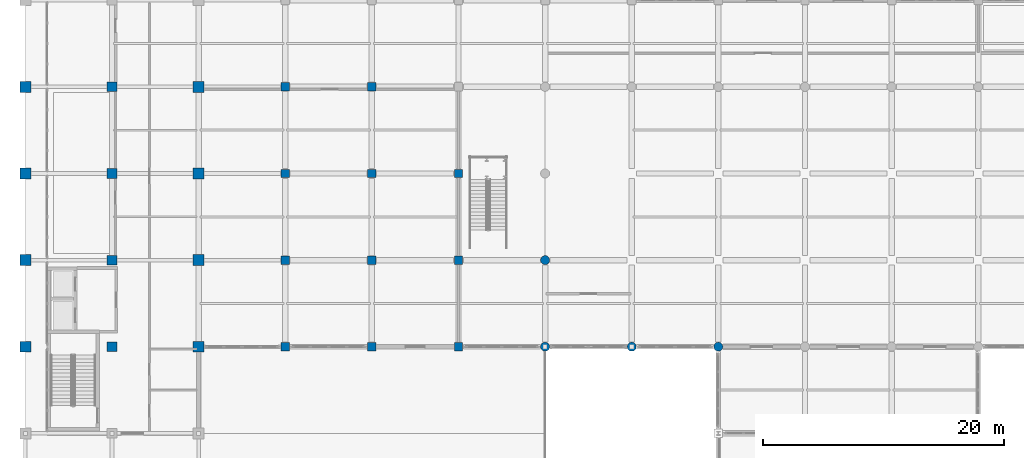
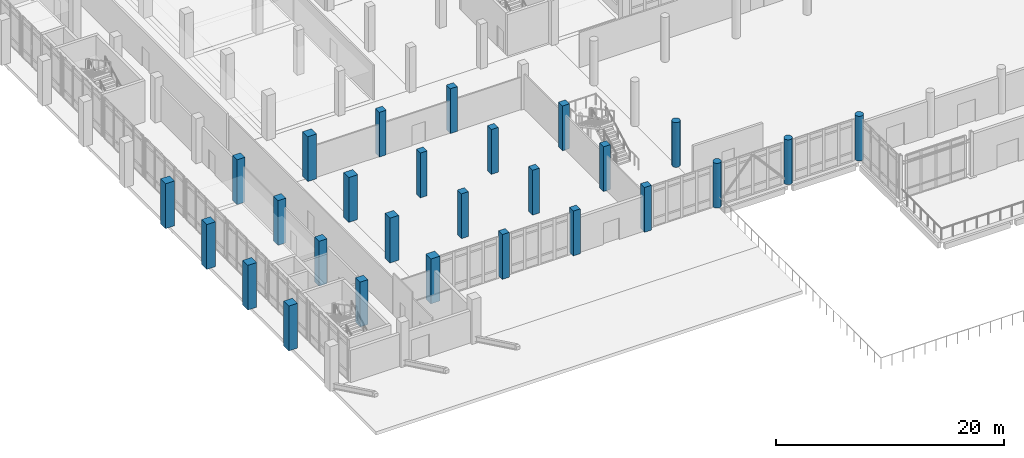
# One storey, part 3 of 59: 27 columns.
"""IFC4 building model written with IfcOpenShell, lengths in metres."""

from ifc_helpers import new_model, si_unit, direction, frame, origin, origin_2d, place, context, subcontext, project, spatial, rectangle, circle, extrude, material, material_profile, profile_set, type_object, element, save


model = new_model("IFC4")

# Units and contexts
model_context = context("Model", 3, precision=1e-05, world=origin(), true_north=direction((0.0, 1.0)))
body_context = subcontext(model_context, "Body", "Model", "MODEL_VIEW")
ifc_project = project(units=[si_unit("LENGTHUNIT", "METRE"), si_unit("AREAUNIT", "SQUARE_METRE"), si_unit("VOLUMEUNIT", "CUBIC_METRE"), si_unit("PLANEANGLEUNIT", "RADIAN"), si_unit("MASSUNIT", "GRAM", prefix="KILO")], contexts=[model_context])

# Site, building, storey
site_placement = place(None, origin())
site = spatial("IfcSite", under=ifc_project, at=site_placement, CompositionType="ELEMENT")
building_placement = place(site_placement, origin())
building = spatial("IfcBuilding", under=site, at=building_placement, Name="Valkovuoma Quantum and Materials Research Institute", CompositionType="ELEMENT")
storey_placement = place(building_placement, origin())
storey = spatial("IfcBuildingStorey", under=building, at=storey_placement, Name="L00", CompositionType="ELEMENT", Elevation=0.0)

# Columns
ifc_material_1 = material(Name="Concrete C40/50", Category="concrete")
ifc_material_profile_1 = material_profile(ifc_material_1, rectangle(XDim=0.699951171875, YDim=0.699951171875, at=origin_2d()), Name="Concrete C40/50")
ifc_profile_set_1 = profile_set([ifc_material_profile_1], Name="Concrete C40/50")
column_type_1 = type_object("IfcColumnType", Name="Col-C-RC700", PredefinedType="COLUMN", material=ifc_profile_set_1)
for number, where, z_axis, x_axis, name in (
    (1, (21.60009765625, 36.0, 0.0), (0.0, 0.0, 1.0), (1.0, 0.0, 0.0), "L00 column 04F"),
    (2, (21.60009765625, 43.199951171875, 0.0), (0.0, 0.0, 1.0), (1.0, 0.0, 0.0), "L00 column 04G"),
    (3, (21.60009765625, 50.39990234375, 0.0), (0.0, 0.0, 1.0), (1.0, 0.0, 0.0), "L00 column 04H"),
    (4, (21.60009765625, 57.60009765625, 0.0), (0.0, 0.0, 1.0), (1.0, 0.0, 0.0), "L00 column 04J"),
    (5, (28.800048828125, 36.0, 0.0), (0.0, 0.0, 1.0), (1.0, 0.0, 0.0), "L00 column 05F"),
    (6, (28.800048828125, 43.199951171875, 0.0), (0.0, 0.0, 1.0), (1.0, 0.0, 0.0), "L00 column 05G"),
    (7, (28.800048828125, 50.39990234375, 0.0), (0.0, 0.0, 1.0), (1.0, 0.0, 0.0), "L00 column 05H"),
    (8, (28.800048828125, 57.60009765625, 0.0), (0.0, 0.0, 1.0), (1.0, 0.0, 0.0), "L00 column 05J"),
    (9, (36.0, 36.0, 0.0), (0.0, 0.0, 1.0), (1.0, 0.0, 0.0), "L00 column 06F"),
    (10, (36.0, 43.199951171875, 0.0), (0.0, 0.0, 1.0), (1.0, 0.0, 0.0), "L00 column 06G"),
    (11, (36.0, 50.39990234375, 0.0), (0.0, 0.0, 1.0), (1.0, 0.0, 0.0), "L00 column 06H"),
):
    element("IfcColumn", number, at=place(storey_placement, frame(where, z_axis=z_axis, x_axis=x_axis)), inside=storey, type_object=column_type_1, Name=name, PredefinedType="COLUMN", context=body_context, shape_type="SweptSolid", body=[
        extrude(rectangle(XDim=0.699951171875, YDim=0.699951171875, at=origin_2d()), origin(), (0.0, 0.0, 1.0), 4.800048828125),
    ])
ifc_material_2 = material(Name="Concrete C50/60", Category="concrete")
ifc_material_profile_2 = material_profile(ifc_material_2, rectangle(XDim=0.800048828125, YDim=0.800048828125, at=origin_2d()), Name="Concrete C50/60")
ifc_profile_set_2 = profile_set([ifc_material_profile_2], Name="Concrete C50/60")
column_type_2 = type_object("IfcColumnType", Name="Col-C-RC800", PredefinedType="COLUMN", material=ifc_profile_set_2)
for number, where, z_axis, x_axis, name in (
    (12, (7.199951171875, 36.0, 0.0), (0.0, 0.0, 1.0), (1.0, 0.0, 0.0), "L00 column 02F"),
    (13, (7.199951171875, 43.199951171875, 0.0), (0.0, 0.0, 1.0), (1.0, 0.0, 0.0), "L00 column 02G"),
    (14, (7.199951171875, 50.39990234375, 0.0), (0.0, 0.0, 1.0), (1.0, 0.0, 0.0), "L00 column 02H"),
    (15, (7.199951171875, 57.60009765625, 0.0), (0.0, 0.0, 1.0), (1.0, 0.0, 0.0), "L00 column 02J"),
):
    element("IfcColumn", number, at=place(storey_placement, frame(where, z_axis=z_axis, x_axis=x_axis)), inside=storey, type_object=column_type_2, Name=name, PredefinedType="COLUMN", context=body_context, shape_type="SweptSolid", body=[
        extrude(rectangle(XDim=0.800048828125, YDim=0.800048828125, at=origin_2d()), origin(), (0.0, 0.0, 1.0), 4.800048828125),
    ])
ifc_material_3 = material(Name="Concrete C50/60", Category="concrete")
ifc_material_profile_3 = material_profile(ifc_material_3, rectangle(XDim=0.89990234375, YDim=0.89990234375, at=origin_2d()), Name="Concrete C50/60")
ifc_profile_set_3 = profile_set([ifc_material_profile_3], Name="Concrete C50/60")
column_type_3 = type_object("IfcColumnType", Name="Col-C-RC900", PredefinedType="COLUMN", material=ifc_profile_set_3)
for number, where, z_axis, x_axis, name in (
    (16, (0.0, 36.0, 0.0), (0.0, 0.0, 1.0), (1.0, 0.0, 0.0), "L00 column 01F"),
    (17, (0.0, 43.199951171875, 0.0), (0.0, 0.0, 1.0), (1.0, 0.0, 0.0), "L00 column 01G"),
    (18, (0.0, 50.39990234375, 0.0), (0.0, 0.0, 1.0), (1.0, 0.0, 0.0), "L00 column 01H"),
    (19, (0.0, 57.60009765625, 0.0), (0.0, 0.0, 1.0), (1.0, 0.0, 0.0), "L00 column 01J"),
    (20, (14.39990234375, 36.0, 0.0), (0.0, 0.0, 1.0), (1.0, 0.0, 0.0), "L00 column 03F"),
    (21, (14.39990234375, 43.199951171875, 0.0), (0.0, 0.0, 1.0), (1.0, 0.0, 0.0), "L00 column 03G"),
    (22, (14.39990234375, 50.39990234375, 0.0), (0.0, 0.0, 1.0), (1.0, 0.0, 0.0), "L00 column 03H"),
    (23, (14.39990234375, 57.60009765625, 0.0), (0.0, 0.0, 1.0), (1.0, 0.0, 0.0), "L00 column 03J"),
):
    element("IfcColumn", number, at=place(storey_placement, frame(where, z_axis=z_axis, x_axis=x_axis)), inside=storey, type_object=column_type_3, Name=name, PredefinedType="COLUMN", context=body_context, shape_type="SweptSolid", body=[
        extrude(rectangle(XDim=0.89990234375, YDim=0.89990234375, at=origin_2d()), origin(), (0.0, 0.0, 1.0), 4.800048828125),
    ])
ifc_material_4 = material(Name="Concrete C50/60", Category="concrete")
ifc_material_profile_4 = material_profile(ifc_material_4, circle(Radius=0.375, at=origin_2d()), Name="Concrete C50/60")
ifc_profile_set_4 = profile_set([ifc_material_profile_4], Name="Concrete C50/60")
column_type_4 = type_object("IfcColumnType", Name="Col-C-RCD750", PredefinedType="COLUMN", material=ifc_profile_set_4)
for number, where, z_axis, x_axis, name in (
    (24, (43.199951171875, 36.0, 0.0), (0.0, 0.0, 1.0), (1.0, 0.0, 0.0), "L00 column 07F"),
    (25, (43.199951171875, 43.199951171875, 0.0), (0.0, 0.0, 1.0), (1.0, 0.0, 0.0), "L00 column 07G"),
    (26, (50.39990234375, 36.0, 0.0), (0.0, 0.0, 1.0), (1.0, 0.0, 0.0), "L00 column 08F"),
    (27, (57.60009765625, 36.0, 0.0), (0.0, 0.0, 1.0), (1.0, 0.0, 0.0), "L00 column 09F"),
):
    element("IfcColumn", number, at=place(storey_placement, frame(where, z_axis=z_axis, x_axis=x_axis)), inside=storey, type_object=column_type_4, Name=name, PredefinedType="COLUMN", context=body_context, shape_type="SweptSolid", body=[
        extrude(circle(Radius=0.375, at=origin_2d()), origin(), (0.0, 0.0, 1.0), 4.800048828125),
    ])

save(model, "model.ifc")
